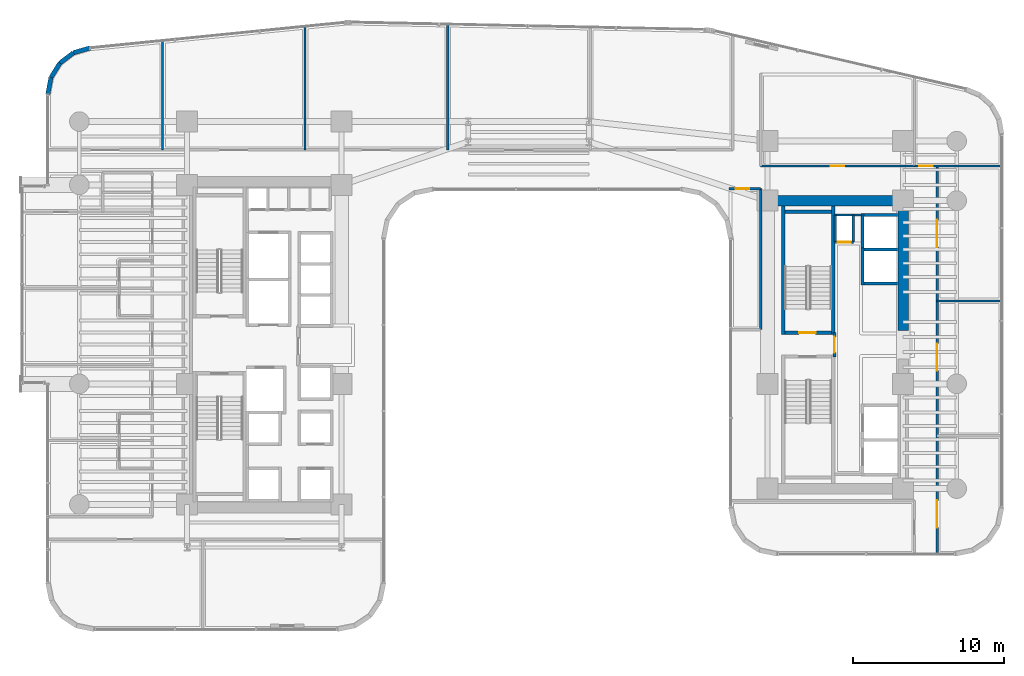
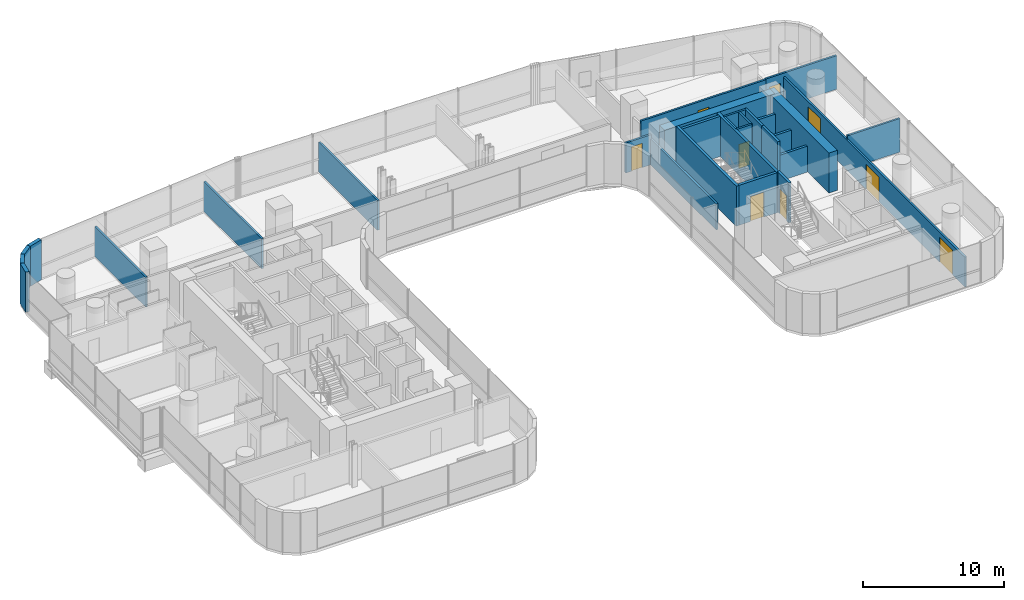
# One storey, part 32 of 39: 29 walls, 9 doors, 9 openings.
"""IFC4 building model written with IfcOpenShell, lengths in metres."""

from ifc_helpers import new_model, si_unit, direction, frame, frame_2d, origin, place, context, subcontext, project, spatial, rectangle, extrude, material, layer, layer_set, type_object, element, fill, save


model = new_model("IFC4")

# Units and contexts
model_context = context("Model", 3, precision=1e-05, world=origin(), true_north=direction((0.0, 1.0)))
body_context = subcontext(model_context, "Body", "Model", "MODEL_VIEW")
ifc_project = project(units=[si_unit("LENGTHUNIT", "METRE"), si_unit("AREAUNIT", "SQUARE_METRE"), si_unit("VOLUMEUNIT", "CUBIC_METRE"), si_unit("PLANEANGLEUNIT", "RADIAN"), si_unit("MASSUNIT", "GRAM", prefix="KILO")], contexts=[model_context])

# Site, building, storey
site_placement = place(None, origin())
site = spatial("IfcSite", under=ifc_project, at=site_placement, CompositionType="ELEMENT")
building_placement = place(site_placement, origin())
building = spatial("IfcBuilding", under=site, at=building_placement, Name="Valdorenza Pilgrim Sanctuary Tower", CompositionType="ELEMENT")
storey_placement = place(building_placement, frame((0.0, 0.0, 77.800048828125)))
storey = spatial("IfcBuildingStorey", under=building, at=storey_placement, Name="L19", CompositionType="ELEMENT", Elevation=77.800048828125)

# Wall, opening, door
ifc_material_1 = material(Name="Acoustic twin-stud gypsum partition", Category="gypsum")
ifc_layer_1 = layer(ifc_material_1, 0.159912109375, Name="Acoustic twin-stud gypsum partition")
ifc_layer_set_1 = layer_set([ifc_layer_1], Name="Acoustic twin-stud gypsum partition")
wall_type_1 = type_object("IfcWallType", Name="WAL-COR-160", PredefinedType="PARTITIONING", material=ifc_layer_set_1)
wall_1_placement = place(storey_placement, frame((20.35009765625, 6.800048828125, 0.0), z_axis=(0.0, 0.0, 1.0), x_axis=(1.0, 0.0, 0.0)))
wall_1 = element("IfcWall", 1, at=wall_1_placement, inside=storey, type_object=wall_type_1, Name="L19 Core B Riser South Wall", PredefinedType="PARTITIONING", context=body_context, shape_type="SweptSolid", body=[
    extrude(rectangle(XDim=1.199951171875, YDim=0.159912109375, at=frame_2d((0.60009765625, 0.0))), origin(), (0.0, 0.0, 1.0), 3.4599609375),
])
opening_1_placement = place(wall_1_placement, frame((0.175048828125, 0.0, 0.0)))
opening_1 = element("IfcOpeningElement", 2, at=opening_1_placement, cuts=wall_1, Name="Opening DR-RS1", PredefinedType="OPENING", context=body_context, shape_type="SweptSolid", body=[
    extrude(rectangle(XDim=0.85009765625, YDim=2.050048828125, at=frame_2d((0.425048828125, 1.02490234375))), frame((0.0, 0.0947265625, 0.0), z_axis=(0.0, -1.0, 0.0), x_axis=(1.0, 0.0, 0.0)), (0.0, 0.0, 1.0), 0.189697265625),
])
ifc_material_2 = material(Name="Painted galvanized steel", Category="steel")
door_type_1 = type_object("IfcDoorType", Name="DR-RSR-850", OperationType="NOTDEFINED", PredefinedType="DOOR", material=ifc_material_2)
door_1_placement = place(opening_1_placement, origin())
door_1 = element("IfcDoor", 3, at=door_1_placement, inside=storey, type_object=door_type_1, Name="L19 Core B Electrical Riser Door", OperationType="SINGLE_SWING_RIGHT", OverallHeight=2.050048828125, OverallWidth=0.85009765625, PredefinedType="DOOR", context=body_context, shape_type="SweptSolid", body=[
    extrude(rectangle(XDim=0.85009765625, YDim=2.050048828125, at=frame_2d((0.425048828125, 1.02490234375))), frame((0.0, 0.02490234375, 0.0), z_axis=(0.0, -1.0, 0.0), x_axis=(1.0, 0.0, 0.0)), (0.0, 0.0, 1.0), 0.050048828125),
])
fill(opening_1, door_1)

# Walls
for number, where, z_axis, x_axis, name in (
    (4, (21.550048828125, 6.800048828125, 0.0), (0.0, 0.0, 1.0), (0.0, 1.0, 0.0), "L19 Core B Riser East Wall"),
    (5, (20.35009765625, 6.800048828125, 0.0), (0.0, 0.0, 1.0), (0.0, 1.0, 0.0), "L19 Core B Riser West Wall"),
):
    element("IfcWall", number, at=place(storey_placement, frame(where, z_axis=z_axis, x_axis=x_axis)), inside=storey, type_object=wall_type_1, Name=name, PredefinedType="PARTITIONING", context=body_context, shape_type="SweptSolid", body=[
        extrude(rectangle(XDim=1.800048828125, YDim=0.159912109375, at=frame_2d((0.89990234375, 0.0))), origin(), (0.0, 0.0, 1.0), 3.4599609375),
    ])
wall_2_placement = place(storey_placement, frame((20.300048828125, 8.60009765625, 0.0), z_axis=(0.0, 0.0, 1.0), x_axis=(1.0, 0.0, 0.0)))
element("IfcWall", 6, at=wall_2_placement, inside=storey, type_object=wall_type_1, Name="L19 Core B Lift Hall North End Wall", PredefinedType="PARTITIONING", context=body_context, shape_type="SweptSolid", body=[
    extrude(rectangle(XDim=1.820068359375, YDim=0.159912109375, at=frame_2d((0.91015625, 0.0))), origin(), (0.0, 0.0, 1.0), 3.4599609375),
])

# Wall, opening, door
wall_3_placement = place(storey_placement, frame((15.39990234375, 11.85009765625, 0.0), z_axis=(0.0, 0.0, 1.0), x_axis=(1.0, 0.0, 0.0)))
wall_3 = element("IfcWall", 7, at=wall_3_placement, inside=storey, type_object=wall_type_1, Name="L19 Wing B North Corridor Wall", PredefinedType="PARTITIONING", context=body_context, shape_type="SweptSolid", body=[
    extrude(rectangle(XDim=10.2001953125, YDim=0.159912109375, at=frame_2d((5.10009765625, 0.0))), origin(), (0.0, 0.0, 1.0), 2.833984375),
])
opening_2_placement = place(wall_3_placement, frame((4.64990234375, 0.0, 0.0)))
opening_2 = element("IfcOpeningElement", 8, at=opening_2_placement, cuts=wall_3, Name="Opening DR-RM1", PredefinedType="OPENING", context=body_context, shape_type="SweptSolid", body=[
    extrude(rectangle(XDim=0.89990234375, YDim=2.10009765625, at=frame_2d((0.449951171875, 1.050048828125))), frame((0.0, 0.0947265625, 0.0), z_axis=(0.0, -1.0, 0.0), x_axis=(1.0, 0.0, 0.0)), (0.0, 0.0, 1.0), 0.189697265625),
])
ifc_material_3 = material(Name="Solid-core European oak timber", Category="wood")
door_type_2 = type_object("IfcDoorType", Name="DR-ROOM-900", OperationType="NOTDEFINED", PredefinedType="DOOR", material=ifc_material_3)
door_2_placement = place(opening_2_placement, frame((0.89990234375, 0.0, 0.0), z_axis=(0.0, 0.0, 1.0), x_axis=(-1.0, 0.0, 0.0)))
door_2 = element("IfcDoor", 9, at=door_2_placement, inside=storey, type_object=door_type_2, Name="L19 Curator Research Office L19-BN1 Door", OperationType="SINGLE_SWING_LEFT", OverallHeight=2.10009765625, OverallWidth=0.89990234375, PredefinedType="DOOR", context=body_context, shape_type="SweptSolid", body=[
    extrude(rectangle(XDim=0.89990234375, YDim=2.10009765625, at=frame_2d((0.449951171875, 1.050048828125))), frame((0.0, 0.02490234375, 0.0), z_axis=(0.0, -1.0, 0.0), x_axis=(1.0, 0.0, 0.0)), (0.0, 0.0, 1.0), 0.050048828125),
])
fill(opening_2, door_2)

# Wall, openings, doors
wall_4_placement = place(storey_placement, frame((27.10009765625, -13.889892578125, 0.0), z_axis=(0.0, 0.0, 1.0), x_axis=(0.0, 1.0, 0.0)))
wall_4 = element("IfcWall", 10, at=wall_4_placement, inside=storey, type_object=wall_type_1, Name="L19 Wing B East Corridor Wall", PredefinedType="PARTITIONING", context=body_context, shape_type="SweptSolid", body=[
    extrude(rectangle(XDim=25.739990234375, YDim=0.159912109375, at=frame_2d((12.8701171875, 0.0))), origin(), (0.0, 0.0, 1.0), 2.5830078125),
])
opening_3_placement = place(wall_4_placement, frame((1.760009765625, 0.0, 0.0)))
opening_3 = element("IfcOpeningElement", 11, at=opening_3_placement, cuts=wall_4, Name="Opening DR-HL1", PredefinedType="OPENING", context=body_context, shape_type="SweptSolid", body=[
    extrude(rectangle(XDim=1.800048828125, YDim=2.14990234375, at=frame_2d((0.89990234375, 1.074951171875))), frame((0.0, 0.0947265625, 0.0), z_axis=(0.0, -1.0, 0.0), x_axis=(1.0, 0.0, 0.0)), (0.0, 0.0, 1.0), 0.189697265625),
])
opening_4_placement = place(wall_4_placement, frame((12.159912109375, 0.0, 0.0)))
opening_4 = element("IfcOpeningElement", 12, at=opening_4_placement, cuts=wall_4, Name="Opening DR-HL1", PredefinedType="OPENING", context=body_context, shape_type="SweptSolid", body=[
    extrude(rectangle(XDim=1.800048828125, YDim=2.14990234375, at=frame_2d((0.89990234375, 1.074951171875))), frame((0.0, 0.0947265625, 0.0), z_axis=(0.0, -1.0, 0.0), x_axis=(1.0, 0.0, 0.0)), (0.0, 0.0, 1.0), 0.189697265625),
])
opening_5_placement = place(wall_4_placement, frame((20.364990234375, 0.0, 0.0)))
opening_5 = element("IfcOpeningElement", 13, at=opening_5_placement, cuts=wall_4, Name="Opening DR-HL1", PredefinedType="OPENING", context=body_context, shape_type="SweptSolid", body=[
    extrude(rectangle(XDim=1.800048828125, YDim=2.14990234375, at=frame_2d((0.89990234375, 1.074951171875))), frame((0.0, 0.0947265625, 0.0), z_axis=(0.0, -1.0, 0.0), x_axis=(1.0, 0.0, 0.0)), (0.0, 0.0, 1.0), 0.189697265625),
])
ifc_material_4 = material(Name="Acoustic oak and vision-glass double door", Category="glass")
door_type_3 = type_object("IfcDoorType", Name="DR-HALL-1800", OperationType="NOTDEFINED", PredefinedType="DOOR", material=ifc_material_4)
door_3_placement = place(opening_3_placement, origin())
door_3 = element("IfcDoor", 14, at=door_3_placement, inside=storey, type_object=door_type_3, Name="L19 East Reading Lounge L19-EB1 Door", OperationType="DOUBLE_DOOR_SINGLE_SWING", OverallHeight=2.14990234375, OverallWidth=1.800048828125, PredefinedType="DOOR", context=body_context, shape_type="SweptSolid", body=[
    extrude(rectangle(XDim=1.800048828125, YDim=2.14990234375, at=frame_2d((0.89990234375, 1.074951171875))), frame((0.0, 0.02490234375, 0.0), z_axis=(0.0, -1.0, 0.0), x_axis=(1.0, 0.0, 0.0)), (0.0, 0.0, 1.0), 0.050048828125),
])
fill(opening_3, door_3)
door_4_placement = place(opening_4_placement, frame((1.800048828125, 0.0, 0.0), z_axis=(0.0, 0.0, 1.0), x_axis=(-1.0, 0.0, 0.0)))
door_4 = element("IfcDoor", 15, at=door_4_placement, inside=storey, type_object=door_type_3, Name="L19 East Reading Lounge L19-EB2 Door", OperationType="DOUBLE_DOOR_SINGLE_SWING", OverallHeight=2.14990234375, OverallWidth=1.800048828125, PredefinedType="DOOR", context=body_context, shape_type="SweptSolid", body=[
    extrude(rectangle(XDim=1.800048828125, YDim=2.14990234375, at=frame_2d((0.89990234375, 1.074951171875))), frame((0.0, 0.02490234375, 0.0), z_axis=(0.0, -1.0, 0.0), x_axis=(1.0, 0.0, 0.0)), (0.0, 0.0, 1.0), 0.050048828125),
])
fill(opening_4, door_4)
door_5_placement = place(opening_5_placement, origin())
door_5 = element("IfcDoor", 16, at=door_5_placement, inside=storey, type_object=door_type_3, Name="L19 East Reading Lounge L19-EB3 Door", OperationType="DOUBLE_DOOR_SINGLE_SWING", OverallHeight=2.14990234375, OverallWidth=1.800048828125, PredefinedType="DOOR", context=body_context, shape_type="SweptSolid", body=[
    extrude(rectangle(XDim=1.800048828125, YDim=2.14990234375, at=frame_2d((0.89990234375, 1.074951171875))), frame((0.0, 0.02490234375, 0.0), z_axis=(0.0, -1.0, 0.0), x_axis=(1.0, 0.0, 0.0)), (0.0, 0.0, 1.0), 0.050048828125),
])
fill(opening_5, door_5)

# Wall, opening, door
wall_5_placement = place(storey_placement, frame((25.60009765625, 11.85009765625, 0.0), z_axis=(0.0, 0.0, 1.0), x_axis=(1.0, 0.0, 0.0)))
wall_5 = element("IfcWall", 17, at=wall_5_placement, inside=storey, type_object=wall_type_1, Name="L19 East Wing NE Corner South Wall", PredefinedType="PARTITIONING", context=body_context, shape_type="SweptSolid", body=[
    extrude(rectangle(XDim=5.789794921875, YDim=0.159912109375, at=frame_2d((2.89501953125, 0.0))), origin(), (0.0, 0.0, 1.0), 2.89599609375),
])
opening_6_placement = place(wall_5_placement, frame((0.300048828125, 0.0, 0.0)))
opening_6 = element("IfcOpeningElement", 18, at=opening_6_placement, cuts=wall_5, Name="Opening DR-RM1", PredefinedType="OPENING", context=body_context, shape_type="SweptSolid", body=[
    extrude(rectangle(XDim=0.89990234375, YDim=2.10009765625, at=frame_2d((0.449951171875, 1.050048828125))), frame((0.0, 0.0947265625, 0.0), z_axis=(0.0, -1.0, 0.0), x_axis=(1.0, 0.0, 0.0)), (0.0, 0.0, 1.0), 0.189697265625),
])
door_6_placement = place(opening_6_placement, origin())
door_6 = element("IfcDoor", 19, at=door_6_placement, inside=storey, type_object=door_type_2, Name="L19 East North Alcove Office L19 Door", OperationType="SINGLE_SWING_LEFT", OverallHeight=2.10009765625, OverallWidth=0.89990234375, PredefinedType="DOOR", context=body_context, shape_type="SweptSolid", body=[
    extrude(rectangle(XDim=0.89990234375, YDim=2.10009765625, at=frame_2d((0.449951171875, 1.050048828125))), frame((0.0, 0.02490234375, 0.0), z_axis=(0.0, -1.0, 0.0), x_axis=(1.0, 0.0, 0.0)), (0.0, 0.0, 1.0), 0.050048828125),
])
fill(opening_6, door_6)

wall_6_placement = place(storey_placement, frame((13.300048828125, 10.35009765625, 0.0), z_axis=(0.0, 0.0, 1.0), x_axis=(1.0, 0.0, 0.0)))
wall_6 = element("IfcWall", 20, at=wall_6_placement, inside=storey, type_object=wall_type_1, Name="L19 Courtyard Overlook North Wall", PredefinedType="PARTITIONING", context=body_context, shape_type="SweptSolid", body=[
    extrude(rectangle(XDim=2.099853515625, YDim=0.159912109375, at=frame_2d((1.0498046875, 0.0))), origin(), (0.0, 0.0, 1.0), 2.5830078125),
])
opening_7_placement = place(wall_6_placement, frame((0.449951171875, 0.0, 0.0)))
opening_7 = element("IfcOpeningElement", 21, at=opening_7_placement, cuts=wall_6, Name="Opening DR-RM1", PredefinedType="OPENING", context=body_context, shape_type="SweptSolid", body=[
    extrude(rectangle(XDim=0.89990234375, YDim=2.10009765625, at=frame_2d((0.449951171875, 1.050048828125))), frame((0.0, 0.0947265625, 0.0), z_axis=(0.0, -1.0, 0.0), x_axis=(1.0, 0.0, 0.0)), (0.0, 0.0, 1.0), 0.189697265625),
])
door_7_placement = place(opening_7_placement, origin())
door_7 = element("IfcDoor", 22, at=door_7_placement, inside=storey, type_object=door_type_2, Name="L19 Courtyard Overlook Salon Door", OperationType="SINGLE_SWING_LEFT", OverallHeight=2.10009765625, OverallWidth=0.89990234375, PredefinedType="DOOR", context=body_context, shape_type="SweptSolid", body=[
    extrude(rectangle(XDim=0.89990234375, YDim=2.10009765625, at=frame_2d((0.449951171875, 1.050048828125))), frame((0.0, 0.02490234375, 0.0), z_axis=(0.0, -1.0, 0.0), x_axis=(1.0, 0.0, 0.0)), (0.0, 0.0, 1.0), 0.050048828125),
])
fill(opening_7, door_7)

# Walls
wall_7_placement = place(storey_placement, frame((15.39990234375, 1.0, 0.0), z_axis=(0.0, 0.0, 1.0), x_axis=(0.0, 1.0, 0.0)))
element("IfcWall", 23, at=wall_7_placement, inside=storey, type_object=wall_type_1, Name="L19 Courtyard Overlook East Wall", PredefinedType="PARTITIONING", context=body_context, shape_type="SweptSolid", body=[
    extrude(rectangle(XDim=9.35009765625, YDim=0.159912109375, at=frame_2d((4.675048828125, 0.0))), origin(), (0.0, 0.0, 1.0), 2.244873046875),
])
ifc_material_5 = material(Name="Concrete C60/75", Category="concrete")
ifc_layer_2 = layer(ifc_material_5, 0.699951171875, Name="Concrete C60/75")
ifc_layer_set_2 = layer_set([ifc_layer_2], Name="Concrete C60/75")
wall_type_2 = type_object("IfcWallType", Name="WAL-COR-700", PredefinedType="SHEAR", material=ifc_layer_set_2)
wall_8_placement = place(storey_placement, frame((24.85009765625, 0.949951171875, 0.0), z_axis=(0.0, 0.0, 1.0), x_axis=(0.0, 1.0, 0.0)))
element("IfcWall", 24, at=wall_8_placement, inside=storey, type_object=wall_type_2, Name="L19 Split Core B Shear Wall EN", PredefinedType="SHEAR", context=body_context, shape_type="SweptSolid", body=[
    extrude(rectangle(XDim=8.949951171875, YDim=0.699951171875, at=frame_2d((4.47509765625, 0.0))), origin(), (0.0, 0.0, 1.0), 3.4599609375),
])
wall_9_placement = place(storey_placement, frame((15.85009765625, 9.550048828125, 0.0), z_axis=(0.0, 0.0, 1.0), x_axis=(1.0, 0.0, 0.0)))
element("IfcWall", 25, at=wall_9_placement, inside=storey, type_object=wall_type_2, Name="L19 Split Core B Shear Wall N", PredefinedType="SHEAR", context=body_context, shape_type="SweptSolid", body=[
    extrude(rectangle(XDim=9.0, YDim=0.699951171875, at=frame_2d((4.5, 0.0))), origin(), (0.0, 0.0, 1.0), 3.4599609375),
])
ifc_material_6 = material(Name="Honed travertine limestone", Category="masonry")
ifc_layer_3 = layer(ifc_material_6, 0.300048828125, Name="Honed travertine limestone")
ifc_layer_set_3 = layer_set([ifc_layer_3], Name="Honed travertine limestone")
wall_type_3 = type_object("IfcWallType", Name="WAL-EXT-300", PredefinedType="SOLIDWALL", material=ifc_layer_set_3)
wall_10_placement = place(storey_placement, frame((-31.889892578125, 16.593994140625, 0.0), z_axis=(0.0, 0.0, 1.0), x_axis=(0.182748995683, 0.9831596028, 0.0)))
element("IfcWall", 26, at=wall_10_placement, inside=storey, type_object=wall_type_3, Name="L19 Rounded Wind-Corner Stone Pier 2", PredefinedType="SOLIDWALL", context=body_context, shape_type="SweptSolid", body=[
    extrude(rectangle(XDim=1.1396484375, YDim=0.300048828125, at=frame_2d((0.56982421875, 0.0))), origin(), (0.0, 0.0, 1.0), 3.4599609375),
])
wall_11_placement = place(storey_placement, frame((-31.681640625, 17.71435546875, 0.0), z_axis=(0.0, 0.0, 1.0), x_axis=(0.524157723014, 0.8516212077, 0.0)))
element("IfcWall", 27, at=wall_11_placement, inside=storey, type_object=wall_type_3, Name="L19 Rounded Wind-Corner Stone Pier 3", PredefinedType="SOLIDWALL", context=body_context, shape_type="SweptSolid", body=[
    extrude(rectangle(XDim=1.12939453125, YDim=0.300048828125, at=frame_2d((0.564697265625, 0.0))), origin(), (0.0, 0.0, 1.0), 3.4599609375),
])
wall_12_placement = place(storey_placement, frame((-31.089599609375, 18.67626953125, 0.0), z_axis=(0.0, 0.0, 1.0), x_axis=(0.795253002434, 0.606277710393, 0.0)))
element("IfcWall", 28, at=wall_12_placement, inside=storey, type_object=wall_type_3, Name="L19 Rounded Wind-Corner Stone Pier 4", PredefinedType="SOLIDWALL", context=body_context, shape_type="SweptSolid", body=[
    extrude(rectangle(XDim=1.129150390625, YDim=0.300048828125, at=frame_2d((0.564453125, 0.0))), origin(), (0.0, 0.0, 1.0), 3.4599609375),
])
wall_13_placement = place(storey_placement, frame((-30.191650390625, 19.36083984375, 0.0), z_axis=(0.0, 0.0, 1.0), x_axis=(0.960071941549, 0.279753225271, 0.0)))
element("IfcWall", 29, at=wall_13_placement, inside=storey, type_object=wall_type_3, Name="L19 Rounded Wind-Corner Stone Pier 5", PredefinedType="SOLIDWALL", context=body_context, shape_type="SweptSolid", body=[
    extrude(rectangle(XDim=1.1396484375, YDim=0.300048828125, at=frame_2d((0.56982421875, 0.0))), origin(), (0.0, 0.0, 1.0), 3.4599609375),
])

# Wall, opening, door
ifc_material_7 = material(Name="Gypsum shaftwall partition", Category="gypsum")
ifc_layer_4 = layer(ifc_material_7, 0.199951171875, Name="Gypsum shaftwall partition")
ifc_layer_set_4 = layer_set([ifc_layer_4], Name="Gypsum shaftwall partition")
wall_type_4 = type_object("IfcWallType", Name="WAL-FFL-200", PredefinedType="PARTITIONING", material=ifc_layer_set_4)
wall_14_placement = place(storey_placement, frame((20.300048828125, -0.820068359375, 0.0), z_axis=(0.0, 0.0, 1.0), x_axis=(0.0, 1.0, 0.0)))
wall_14 = element("IfcWall", 30, at=wall_14_placement, inside=storey, type_object=wall_type_4, Name="L19 Core B Firefighting Lobby East Wall", PredefinedType="PARTITIONING", context=body_context, shape_type="SweptSolid", body=[
    extrude(rectangle(XDim=1.64013671875, YDim=0.199951171875, at=frame_2d((0.820068359375, 0.0))), origin(), (0.0, 0.0, 1.0), 3.4599609375),
])
opening_8_placement = place(wall_14_placement, frame((0.294921875, 0.0, 0.0)))
opening_8 = element("IfcOpeningElement", 31, at=opening_8_placement, cuts=wall_14, Name="Opening DR-FL1", PredefinedType="OPENING", context=body_context, shape_type="SweptSolid", body=[
    extrude(rectangle(XDim=1.050048828125, YDim=2.14990234375, at=frame_2d((0.52490234375, 1.074951171875))), frame((0.0, 0.11474609375, 0.0), z_axis=(0.0, -1.0, 0.0), x_axis=(1.0, 0.0, 0.0)), (0.0, 0.0, 1.0), 0.229736328125),
])
door_type_4 = type_object("IfcDoorType", Name="DR-FFL-1050", OperationType="NOTDEFINED", PredefinedType="DOOR", material=ifc_material_2)
door_8_placement = place(opening_8_placement, frame((1.050048828125, 0.0, 0.0), z_axis=(0.0, 0.0, 1.0), x_axis=(-1.0, 0.0, 0.0)))
door_8 = element("IfcDoor", 32, at=door_8_placement, inside=storey, type_object=door_type_4, Name="L19 Core B Firefighting Lobby Door", OperationType="SINGLE_SWING_LEFT", OverallHeight=2.14990234375, OverallWidth=1.050048828125, PredefinedType="DOOR", context=body_context, shape_type="SweptSolid", body=[
    extrude(rectangle(XDim=1.050048828125, YDim=2.14990234375, at=frame_2d((0.52490234375, 1.074951171875))), frame((0.0, 0.02490234375, 0.0), z_axis=(0.0, -1.0, 0.0), x_axis=(1.0, 0.0, 0.0)), (0.0, 0.0, 1.0), 0.050048828125),
])
fill(opening_8, door_8)

# Walls
ifc_material_8 = material(Name="Autoclaved aerated concrete blockwork", Category="masonry")
ifc_layer_5 = layer(ifc_material_8, 0.199951171875, Name="Autoclaved aerated concrete blockwork")
ifc_layer_set_5 = layer_set([ifc_layer_5], Name="Autoclaved aerated concrete blockwork")
wall_type_5 = type_object("IfcWallType", Name="WAL-SHF-200", PredefinedType="MOVABLE", material=ifc_layer_set_5)
wall_15_placement = place(storey_placement, frame((22.14990234375, 3.949951171875, 0.0), z_axis=(0.0, 0.0, 1.0), x_axis=(0.0, 1.0, 0.0)))
element("IfcWall", 33, at=wall_15_placement, inside=storey, type_object=wall_type_5, Name="L19 Lift PL-07 Hoistway Wall West", PredefinedType="MOVABLE", context=body_context, shape_type="SweptSolid", body=[
    extrude(rectangle(XDim=2.47509765625, YDim=0.199951171875, at=frame_2d((1.237548828125, 0.0))), origin(), (0.0, 0.0, 1.0), 3.4599609375),
])
for number, where, z_axis, x_axis, name in (
    (34, (22.25, 4.050048828125, 0.0), (0.0, 0.0, 1.0), (1.0, 0.0, 0.0), "L19 Lift PL-07 Hoistway Wall South"),
    (35, (22.25, 6.324951171875, 0.0), (0.0, 0.0, 1.0), (1.0, 0.0, 0.0), "L19 Lift PL-07 Hoistway Wall North"),
):
    element("IfcWall", number, at=place(storey_placement, frame(where, z_axis=z_axis, x_axis=x_axis)), inside=storey, type_object=wall_type_5, Name=name, PredefinedType="MOVABLE", context=body_context, shape_type="SweptSolid", body=[
        extrude(rectangle(XDim=2.22998046875, YDim=0.199951171875, at=frame_2d((1.114990234375, 0.0))), origin(), (0.0, 0.0, 1.0), 2.244873046875),
    ])
wall_16_placement = place(storey_placement, frame((22.14990234375, 6.22509765625, 0.0), z_axis=(0.0, 0.0, 1.0), x_axis=(0.0, 1.0, 0.0)))
element("IfcWall", 36, at=wall_16_placement, inside=storey, type_object=wall_type_5, Name="L19 Lift PL-08 Hoistway Wall West", PredefinedType="MOVABLE", context=body_context, shape_type="SweptSolid", body=[
    extrude(rectangle(XDim=2.474853515625, YDim=0.199951171875, at=frame_2d((1.2373046875, 0.0))), origin(), (0.0, 0.0, 1.0), 3.4599609375),
])
wall_17_placement = place(storey_placement, frame((22.25, 8.60009765625, 0.0), z_axis=(0.0, 0.0, 1.0), x_axis=(1.0, 0.0, 0.0)))
element("IfcWall", 37, at=wall_17_placement, inside=storey, type_object=wall_type_5, Name="L19 Lift PL-08 Hoistway Wall North", PredefinedType="MOVABLE", context=body_context, shape_type="SweptSolid", body=[
    extrude(rectangle(XDim=2.22998046875, YDim=0.199951171875, at=frame_2d((1.114990234375, 0.0))), origin(), (0.0, 0.0, 1.0), 2.244873046875),
])
ifc_material_9 = material(Name="Concrete C40/50", Category="concrete")
ifc_layer_6 = layer(ifc_material_9, 0.219970703125, Name="Concrete C40/50")
ifc_layer_set_6 = layer_set([ifc_layer_6], Name="Concrete C40/50")
wall_type_6 = type_object("IfcWallType", Name="WAL-STR-SHF-220", PredefinedType="SHEAR", material=ifc_layer_set_6)
for number, where, z_axis, x_axis, name in (
    (38, (16.889892578125, 0.679931640625, 0.0), (0.0, 0.0, 1.0), (0.0, 1.0, 0.0), "L19 ST-B1 Structural Stairwell Wall W"),
    (39, (20.219970703125, 0.679931640625, 0.0), (0.0, 0.0, 1.0), (0.0, 1.0, 0.0), "L19 ST-B1 Structural Stairwell Wall E"),
):
    element("IfcWall", number, at=place(storey_placement, frame(where, z_axis=z_axis, x_axis=x_axis)), inside=storey, type_object=wall_type_6, Name=name, PredefinedType="SHEAR", context=body_context, shape_type="SweptSolid", body=[
        extrude(rectangle(XDim=8.52001953125, YDim=0.219970703125, at=frame_2d((4.260009765625, 0.0))), origin(), (0.0, 0.0, 1.0), 3.4599609375),
    ])

# Wall, opening, door
wall_18_placement = place(storey_placement, frame((17.0, 0.7900390625, 0.0), z_axis=(0.0, 0.0, 1.0), x_axis=(1.0, 0.0, 0.0)))
wall_18 = element("IfcWall", 40, at=wall_18_placement, inside=storey, type_object=wall_type_6, Name="L19 ST-B1 Structural Stairwell Wall S", PredefinedType="SHEAR", context=body_context, shape_type="SweptSolid", body=[
    extrude(rectangle(XDim=3.110107421875, YDim=0.219970703125, at=frame_2d((1.55517578125, 0.0))), origin(), (0.0, 0.0, 1.0), 3.4599609375),
])
opening_9_placement = place(wall_18_placement, frame((0.949951171875, 0.0, 0.0)))
opening_9 = element("IfcOpeningElement", 41, at=opening_9_placement, cuts=wall_18, Name="Opening DR-ST1", PredefinedType="OPENING", context=body_context, shape_type="SweptSolid", body=[
    extrude(rectangle(XDim=1.10009765625, YDim=2.14990234375, at=frame_2d((0.550048828125, 1.074951171875))), frame((0.0, 0.125, 0.0), z_axis=(0.0, -1.0, 0.0), x_axis=(1.0, 0.0, 0.0)), (0.0, 0.0, 1.0), 0.249755859375),
])
door_type_5 = type_object("IfcDoorType", Name="DR-STAIR-1100", OperationType="NOTDEFINED", PredefinedType="DOOR", material=ifc_material_2)
door_9_placement = place(opening_9_placement, origin())
door_9 = element("IfcDoor", 42, at=door_9_placement, inside=storey, type_object=door_type_5, Name="L19 Exit Stair ST-B1 Door", OperationType="SINGLE_SWING_RIGHT", OverallHeight=2.14990234375, OverallWidth=1.10009765625, PredefinedType="DOOR", context=body_context, shape_type="SweptSolid", body=[
    extrude(rectangle(XDim=1.10009765625, YDim=2.14990234375, at=frame_2d((0.550048828125, 1.074951171875))), frame((0.0, 0.02490234375, 0.0), z_axis=(0.0, -1.0, 0.0), x_axis=(1.0, 0.0, 0.0)), (0.0, 0.0, 1.0), 0.050048828125),
])
fill(opening_9, door_9)

# Walls
wall_19_placement = place(storey_placement, frame((17.0, 8.81005859375, 0.0), z_axis=(0.0, 0.0, 1.0), x_axis=(1.0, 0.0, 0.0)))
element("IfcWall", 43, at=wall_19_placement, inside=storey, type_object=wall_type_6, Name="L19 ST-B1 Structural Stairwell Wall N", PredefinedType="SHEAR", context=body_context, shape_type="SweptSolid", body=[
    extrude(rectangle(XDim=3.110107421875, YDim=0.219970703125, at=frame_2d((1.55517578125, 0.0))), origin(), (0.0, 0.0, 1.0), 3.4599609375),
])
ifc_layer_7 = layer(ifc_material_1, 0.14990234375, Name="Acoustic twin-stud gypsum partition")
ifc_layer_set_7 = layer_set([ifc_layer_7], Name="Acoustic twin-stud gypsum partition")
wall_type_7 = type_object("IfcWallType", Name="WAL-UNT-150", PredefinedType="PARTITIONING", material=ifc_layer_set_7)
wall_20_placement = place(storey_placement, frame((-24.281982421875, 12.919921875, 0.0), z_axis=(0.0, 0.0, 1.0), x_axis=(0.0, 1.0, 0.0)))
element("IfcWall", 44, at=wall_20_placement, inside=storey, type_object=wall_type_7, Name="L19 Theological Seminar Classroom L19-N2 Demising Wall", PredefinedType="PARTITIONING", context=body_context, shape_type="SweptSolid", body=[
    extrude(rectangle(XDim=7.241455078125, YDim=0.14990234375, at=frame_2d((3.62060546875, 0.0))), origin(), (0.0, 0.0, 1.0), 2.5830078125),
])
wall_21_placement = place(storey_placement, frame((-14.823974609375, 12.919921875, 0.0), z_axis=(0.0, 0.0, 1.0), x_axis=(0.0, 1.0, 0.0)))
element("IfcWall", 45, at=wall_21_placement, inside=storey, type_object=wall_type_7, Name="L19 Theological Seminar Classroom L19-N3 Demising Wall", PredefinedType="PARTITIONING", context=body_context, shape_type="SweptSolid", body=[
    extrude(rectangle(XDim=8.187255859375, YDim=0.14990234375, at=frame_2d((4.09375, 0.0))), origin(), (0.0, 0.0, 1.0), 2.5830078125),
])
wall_22_placement = place(storey_placement, frame((-5.365966796875, 12.919921875, 0.0), z_axis=(0.0, 0.0, 1.0), x_axis=(0.0, 1.0, 0.0)))
element("IfcWall", 46, at=wall_22_placement, inside=storey, type_object=wall_type_7, Name="L19 Theological Seminar Classroom L19-N4 Demising Wall", PredefinedType="PARTITIONING", context=body_context, shape_type="SweptSolid", body=[
    extrude(rectangle(XDim=8.331787109375, YDim=0.14990234375, at=frame_2d((4.166015625, 0.0))), origin(), (0.0, 0.0, 1.0), 2.5830078125),
])
wall_23_placement = place(storey_placement, frame((27.10009765625, 2.89990234375, 0.0), z_axis=(0.0, 0.0, 1.0), x_axis=(1.0, 0.0, 0.0)))
element("IfcWall", 47, at=wall_23_placement, inside=storey, type_object=wall_type_7, Name="L19 East Reading Lounge L19-EB3 Demising Wall", PredefinedType="PARTITIONING", context=body_context, shape_type="SweptSolid", body=[
    extrude(rectangle(XDim=4.289794921875, YDim=0.14990234375, at=frame_2d((2.14501953125, 0.0))), origin(), (0.0, 0.0, 1.0), 2.89599609375),
])

save(model, "model.ifc")
